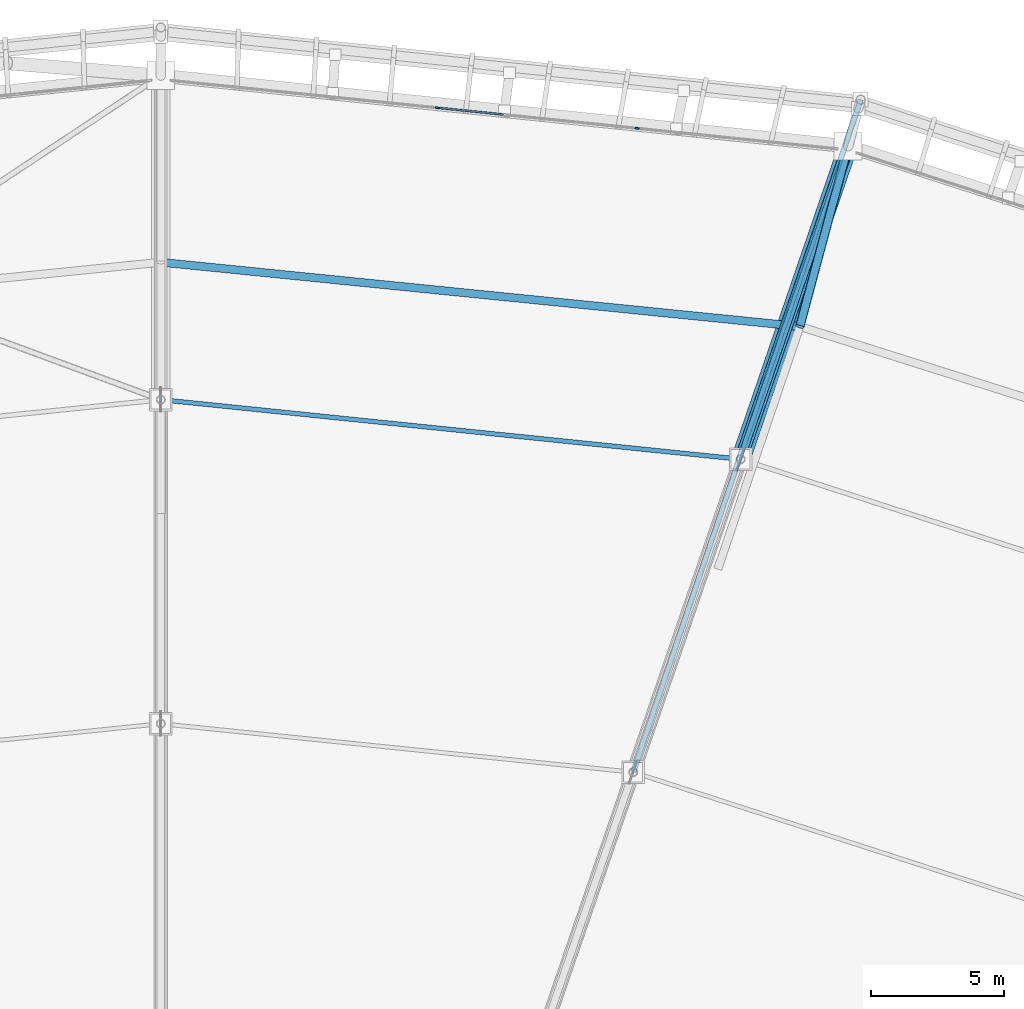
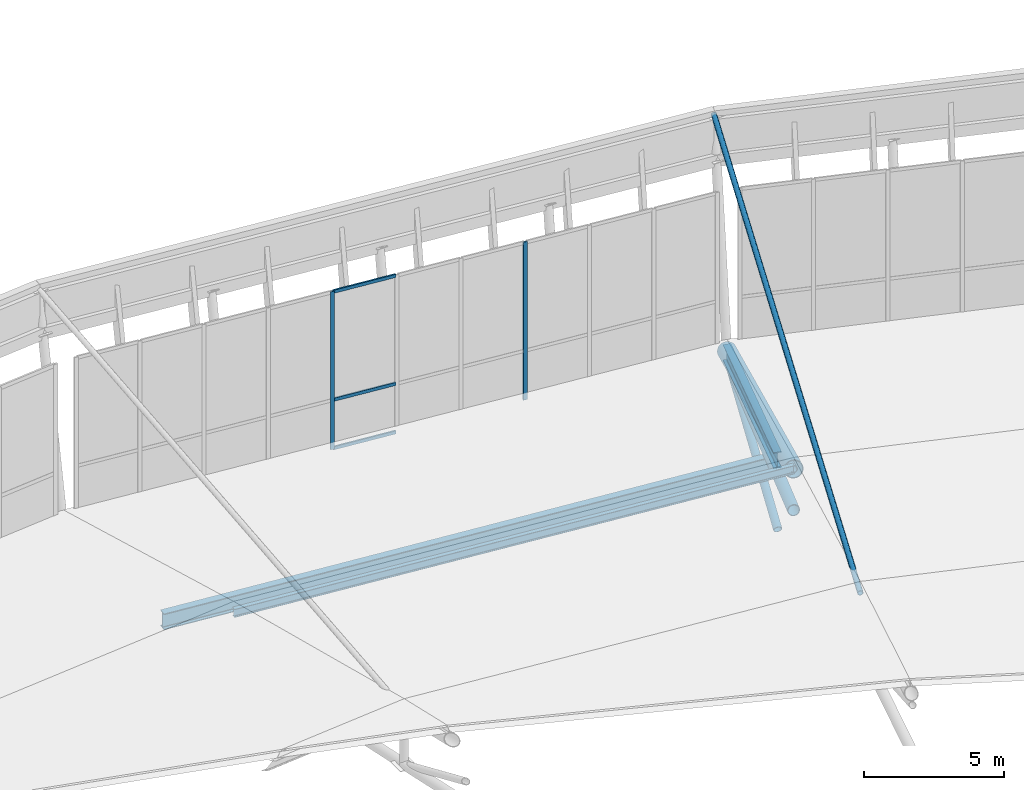
# One storey, part 72 of 115: 11 members, 2 beams, 1 element without a shape of its own.
"""IFC4 building model written with IfcOpenShell, lengths in metres."""

from ifc_helpers import new_model, si_unit, direction, frame, origin, origin_2d, place, context, subcontext, project, spatial, rectangle, hollow_circle, i_section, extrude, material, material_profile, profile_set, type_object, element, aggregate, save


model = new_model("IFC4")

# Units and contexts
model_context = context("Model", 3, precision=1e-05, world=origin(), true_north=direction((0.0, 1.0)))
body_context = subcontext(model_context, "Body", "Model", "MODEL_VIEW")
ifc_project = project(units=[si_unit("LENGTHUNIT", "METRE"), si_unit("AREAUNIT", "SQUARE_METRE"), si_unit("VOLUMEUNIT", "CUBIC_METRE"), si_unit("PLANEANGLEUNIT", "RADIAN"), si_unit("MASSUNIT", "GRAM", prefix="KILO")], contexts=[model_context])

# Site, building, storey
site_placement = place(None, origin())
site = spatial("IfcSite", under=ifc_project, at=site_placement, CompositionType="ELEMENT")
building_placement = place(site_placement, origin())
building = spatial("IfcBuilding", under=site, at=building_placement, Name="Zlatoyarsky Gate Stadium", CompositionType="ELEMENT")
storey_placement = place(building_placement, frame((0.0, 0.0, 31.800048828125)))
storey = spatial("IfcBuildingStorey", under=building, at=storey_placement, Name="RF", CompositionType="ELEMENT", Elevation=31.800048828125)

# Curtain wall, members
ifc_material_1 = material(Name="Thermally broken anodised aluminium curtain wall", Category="aluminium")
curtain_wall_type = type_object("IfcCurtainWallType", Name="UNITISED SKYBOX RING GLAZING L05", PredefinedType="USERDEFINED", material=ifc_material_1)
curtain_wall_placement = place(storey_placement, origin())
curtain_wall = element("IfcCurtainWall", 1, at=curtain_wall_placement, inside=storey, type_object=curtain_wall_type, Name="Curtain wall CW-RF-05", ObjectType="UNITISED GLAZING", PredefinedType="USERDEFINED")
ifc_material_2 = material(Name="Anodised aluminium 6063-T6", Category="aluminium")
ifc_material_profile_1 = material_profile(ifc_material_2, rectangle(XDim=0.06494140625, YDim=0.159912109375, at=origin_2d()), Name="ALU 65X160")
ifc_profile_set_1 = profile_set([ifc_material_profile_1], Name="Anodised aluminium 6063-T6")
member_type_1 = type_object("IfcMemberType", Name="ALUMINIUM MULLION 65X160", PredefinedType="MULLION", material=ifc_profile_set_1)
member_1_placement = place(storey_placement, frame((128.937744140625, 156.046142578125, 0.0), z_axis=(0.0, 0.0, 1.0), x_axis=(-0.102125168703, -0.994771556649, 0.0)))
member_1 = element("IfcMember", 2, at=member_1_placement, type_object=member_type_1, Name="CW-UG5 mullion 4", PredefinedType="MULLION", context=body_context, shape_type="SweptSolid", body=[
    extrude(rectangle(XDim=0.06494140625, YDim=0.159912109375, at=origin_2d()), origin(), (0.0, 0.0, 1.0), 6.89990234375),
])
member_2_placement = place(storey_placement, frame((121.420654296875, 156.81787109375, 0.0), z_axis=(0.0, 0.0, 1.0), x_axis=(-0.102125168703, -0.994771556649, 0.0)))
member_2 = element("IfcMember", 3, at=member_2_placement, type_object=member_type_1, Name="CW-UG5 mullion 7", PredefinedType="MULLION", context=body_context, shape_type="SweptSolid", body=[
    extrude(rectangle(XDim=0.06494140625, YDim=0.159912109375, at=origin_2d()), origin(), (0.0, 0.0, 1.0), 6.89990234375),
])
ifc_material_profile_2 = material_profile(ifc_material_2, rectangle(XDim=0.06494140625, YDim=0.139892578125, at=origin_2d()), Name="ALU 65X140")
ifc_profile_set_2 = profile_set([ifc_material_profile_2], Name="Anodised aluminium 6063-T6")
member_type_2 = type_object("IfcMemberType", Name="ALUMINIUM TRANSOM 65X140", PredefinedType="USERDEFINED", material=ifc_profile_set_2)
member_3_placement = place(storey_placement, frame((123.89404296875, 156.56396484375, 0.032470703125), z_axis=(-0.994775740393, 0.102084407846, 0.0), x_axis=(-0.102084407846, -0.994775740393, 0.0)))
member_3 = element("IfcMember", 4, at=member_3_placement, type_object=member_type_2, Name="CW-UG5 transom 6.1", ObjectType="TRANSOM", PredefinedType="USERDEFINED", context=body_context, shape_type="SweptSolid", body=[
    extrude(rectangle(XDim=0.06494140625, YDim=0.139892578125, at=origin_2d()), origin(), (0.0, 0.0, 1.0), 2.453857421875),
])
member_4_placement = place(storey_placement, frame((123.89404296875, 156.56396484375, 2.14990234375), z_axis=(-0.994775740393, 0.102084407846, 0.0), x_axis=(-0.102084407846, -0.994775740393, 0.0)))
member_4 = element("IfcMember", 5, at=member_4_placement, type_object=member_type_2, Name="CW-UG5 transom 6.2", ObjectType="TRANSOM", PredefinedType="USERDEFINED", context=body_context, shape_type="SweptSolid", body=[
    extrude(rectangle(XDim=0.06494140625, YDim=0.139892578125, at=origin_2d()), origin(), (0.0, 0.0, 1.0), 2.453857421875),
])
member_5_placement = place(storey_placement, frame((123.89404296875, 156.56396484375, 6.867431640625), z_axis=(-0.994775740393, 0.102084407846, 0.0), x_axis=(-0.102084407846, -0.994775740393, 0.0)))
member_5 = element("IfcMember", 6, at=member_5_placement, type_object=member_type_2, Name="CW-UG5 transom 6.3", ObjectType="TRANSOM", PredefinedType="USERDEFINED", context=body_context, shape_type="SweptSolid", body=[
    extrude(rectangle(XDim=0.06494140625, YDim=0.139892578125, at=origin_2d()), origin(), (0.0, 0.0, 1.0), 2.453857421875),
])
aggregate(curtain_wall, [member_1, member_2, member_3, member_4, member_5])

# Members
ifc_material_3 = material(Name="Steel S355", Category="steel")
ifc_material_profile_3 = material_profile(ifc_material_3, hollow_circle(Radius=0.228515625, WallThickness=0.02490234375, at=origin_2d()), Name="CHS 457X25")
ifc_profile_set_3 = profile_set([ifc_material_profile_3], Name="Steel S355")
member_type_3 = type_object("IfcMemberType", Name="STEEL ARCH BOTTOM CHORD CHS 457X25", PredefinedType="CHORD", material=ifc_profile_set_3)
member_6_placement = place(storey_placement, frame((136.88916015625, 155.368896484375, -0.449951171875), z_axis=(-0.321535505122, -0.936049276956, 0.142921901945), x_axis=(0.945758462386, -0.324870637063, 0.0)))
element("IfcMember", 7, at=member_6_placement, inside=storey, type_object=member_type_3, Name="Radial truss R06 bottom chord 1", PredefinedType="CHORD", context=body_context, shape_type="SweptSolid", body=[
    extrude(hollow_circle(Radius=0.228515625, WallThickness=0.02490234375, at=origin_2d()), origin(), (0.0, 0.0, 1.0), 12.593017578125),
])
ifc_material_profile_4 = material_profile(ifc_material_3, hollow_circle(Radius=0.35546875, WallThickness=0.031982421875, at=origin_2d()), Name="CHS 711X32")
ifc_profile_set_4 = profile_set([ifc_material_profile_4], Name="Steel S355")
member_type_4 = type_object("IfcMemberType", Name="STEEL ARCH TOP CHORD CHS 711X32", PredefinedType="CHORD", material=ifc_profile_set_4)
member_7_placement = place(storey_placement, frame((136.88916015625, 155.368896484375, -0.25), z_axis=(-0.313418799515, -0.912420046921, 0.263169743868), x_axis=(0.945758462386, -0.324870637063, 0.0)))
element("IfcMember", 8, at=member_7_placement, inside=storey, type_object=member_type_4, Name="Radial truss R06 top chord 1", PredefinedType="CHORD", context=body_context, shape_type="SweptSolid", body=[
    extrude(hollow_circle(Radius=0.35546875, WallThickness=0.031982421875, at=origin_2d()), origin(), (0.0, 0.0, 1.0), 12.9189453125),
])
ifc_material_profile_5 = material_profile(ifc_material_3, hollow_circle(Radius=0.109619140625, WallThickness=0.012451171875, at=origin_2d()), Name="CHS 219.1X12.5")
ifc_profile_set_5 = profile_set([ifc_material_profile_5], Name="Steel S355")
member_type_5 = type_object("IfcMemberType", Name="STEEL CANOPY WIND BRACE CHS 219.1X12.5", PredefinedType="BRACE", material=ifc_profile_set_5)
member_8_placement = place(storey_placement, frame((137.359130859375, 157.12353515625, 8.849853515625), z_axis=(-0.318976741373, -0.942996861973, -0.094925006038), x_axis=(0.947274349004, -0.320423637889, 0.0)))
element("IfcMember", 9, at=member_8_placement, inside=storey, type_object=member_type_5, Name="Crown fascia tie brace 05", PredefinedType="BRACE", context=body_context, shape_type="SweptSolid", body=[
    extrude(hollow_circle(Radius=0.109619140625, WallThickness=0.012451171875, at=origin_2d()), origin(), (0.0, 0.0, 1.0), 26.861328125),
])
ifc_material_profile_6 = material_profile(ifc_material_3, i_section(OverallWidth=0.169921875, OverallDepth=0.360107421875, WebThickness=0.008056640625, FlangeThickness=0.0126953125, FilletRadius=0.01806640625, at=origin_2d()), Name="IPE 360")
ifc_profile_set_6 = profile_set([ifc_material_profile_6], Name="Steel S355")
member_type_6 = type_object("IfcMemberType", Name="STEEL LONG SPAN PURLIN IPE 360", PredefinedType="PURLIN", material=ifc_profile_set_6)
member_9_placement = place(storey_placement, frame((132.840087890625, 143.581298828125, 3.179931640625), z_axis=(-0.994769103035, 0.102149065814, 0.0), x_axis=(-0.102149065814, -0.994769103035, 0.0)))
element("IfcMember", 10, at=member_9_placement, inside=storey, type_object=member_type_6, Name="Stadium roof purlin 05.1", PredefinedType="PURLIN", context=body_context, shape_type="SweptSolid", body=[
    extrude(i_section(OverallWidth=0.169921875, OverallDepth=0.360107421875, WebThickness=0.008056640625, FlangeThickness=0.0126953125, FilletRadius=0.01806640625, at=origin_2d()), origin(), (0.0, 0.0, 1.0), 21.954833984375),
])

# Beams
ifc_material_profile_7 = material_profile(ifc_material_3, i_section(OverallWidth=0.300048828125, OverallDepth=0.699951171875, WebThickness=0.01708984375, FlangeThickness=0.031982421875, FilletRadius=0.027099609375, at=origin_2d()), Name="HEB 700")
ifc_profile_set_7 = profile_set([ifc_material_profile_7], Name="Steel S355")
beam_type = type_object("IfcBeamType", Name="STEEL ROOF RING GIRDER HEB 700", PredefinedType="BEAM", material=ifc_profile_set_7)
beam_1_placement = place(storey_placement, frame((135.08056640625, 148.619384765625, -0.300048828125), z_axis=(0.258795463889, 0.965932144548, 0.0), x_axis=(-0.965932144548, 0.258795463889, 0.0)))
element("IfcBeam", 11, at=beam_1_placement, inside=storey, type_object=beam_type, Name="RF roof tie girder BM-RF-COUT-05", PredefinedType="BEAM", context=body_context, shape_type="SweptSolid", body=[
    extrude(i_section(OverallWidth=0.300048828125, OverallDepth=0.699951171875, WebThickness=0.01708984375, FlangeThickness=0.031982421875, FilletRadius=0.027099609375, at=origin_2d()), origin(), (0.0, 0.0, 1.0), 6.987548828125),
])
beam_2_placement = place(storey_placement, frame((135.030517578125, 148.584716796875, -0.300048828125), z_axis=(-0.994986534974, 0.100008975698, 0.0), x_axis=(-0.100008975698, -0.994986534974, 0.0)))
element("IfcBeam", 12, at=beam_2_placement, inside=storey, type_object=beam_type, Name="RF roof tie girder BM-RF-CRC-05", PredefinedType="BEAM", context=body_context, shape_type="SweptSolid", body=[
    extrude(i_section(OverallWidth=0.300048828125, OverallDepth=0.699951171875, WebThickness=0.01708984375, FlangeThickness=0.031982421875, FilletRadius=0.027099609375, at=origin_2d()), origin(), (0.0, 0.0, 1.0), 24.111572265625),
])

# Members
ifc_material_profile_8 = material_profile(ifc_material_3, hollow_circle(Radius=0.136474609375, WallThickness=0.01611328125, at=origin_2d()), Name="CHS 273X16")
ifc_profile_set_8 = profile_set([ifc_material_profile_8], Name="Steel S355")
member_type_7 = type_object("IfcMemberType", Name="STEEL ROOF TRUSS DIAGONAL CHS 273X16", PredefinedType="BRACE", material=ifc_profile_set_8)
member_10_placement = place(storey_placement, frame((136.88916015625, 155.368896484375, -0.449951171875), z_axis=(-0.312112869428, -0.908618243095, 0.277485936673), x_axis=(0.945758462386, -0.324870637063, 0.0)))
element("IfcMember", 13, at=member_10_placement, inside=storey, type_object=member_type_7, Name="Radial truss R06 web diagonal 1", PredefinedType="BRACE", context=body_context, shape_type="SweptSolid", body=[
    extrude(hollow_circle(Radius=0.136474609375, WallThickness=0.01611328125, at=origin_2d()), origin(), (0.0, 0.0, 1.0), 12.97314453125),
])
ifc_material_profile_9 = material_profile(ifc_material_3, hollow_circle(Radius=0.161865234375, WallThickness=0.01611328125, at=origin_2d()), Name="CHS 323.9X16")
ifc_profile_set_9 = profile_set([ifc_material_profile_9], Name="Steel S355")
member_type_8 = type_object("IfcMemberType", Name="STEEL TRUSS WEB STRUT CHS 323.9X16", PredefinedType="STRUT", material=ifc_profile_set_9)
member_11_placement = place(storey_placement, frame((135.0703125, 148.580810546875, -3.300048828125), z_axis=(0.239842975893, 0.895113302245, 0.375829114171), x_axis=(-0.965926341718, 0.258817121486, 0.0)))
element("IfcMember", 14, at=member_11_placement, inside=storey, type_object=member_type_8, Name="Arch heel prop 05", PredefinedType="STRUT", context=body_context, shape_type="SweptSolid", body=[
    extrude(hollow_circle(Radius=0.161865234375, WallThickness=0.01611328125, at=origin_2d()), origin(), (0.0, 0.0, 1.0), 7.58349609375),
])

save(model, "model.ifc")
